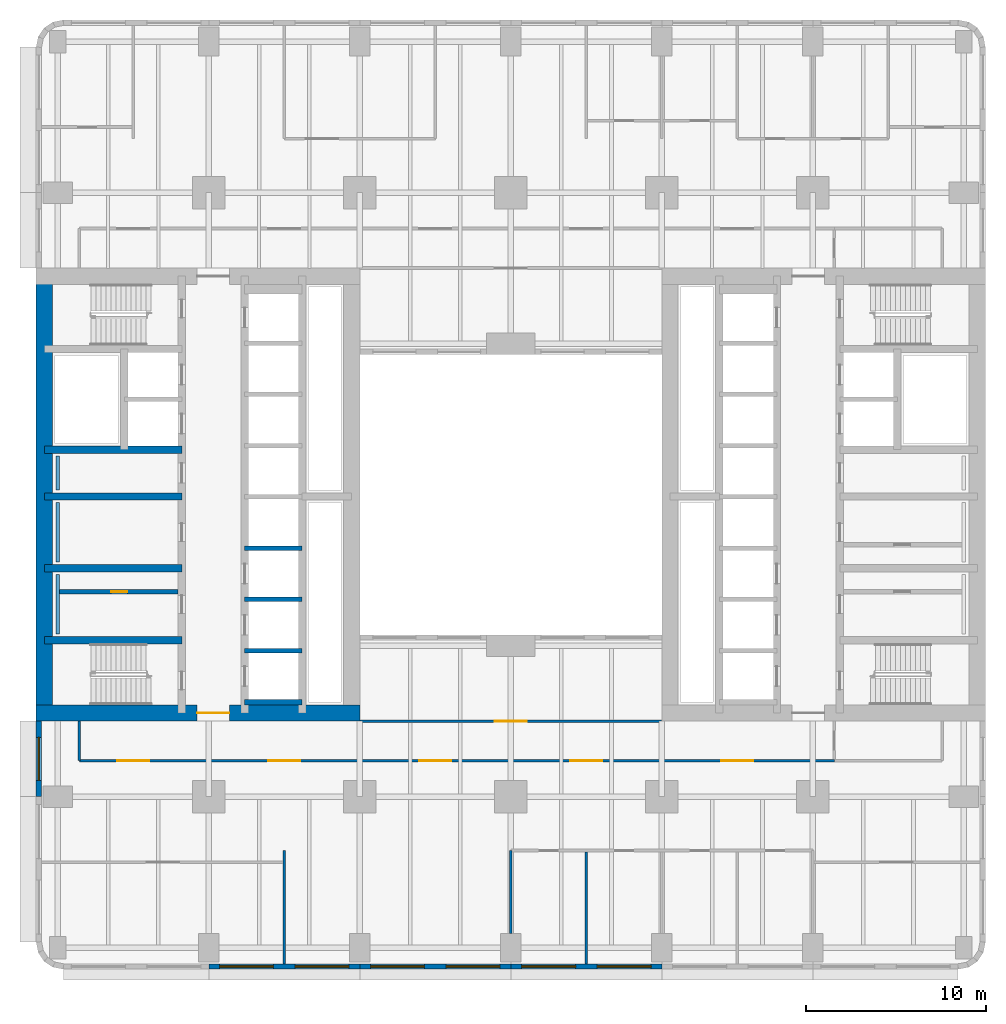
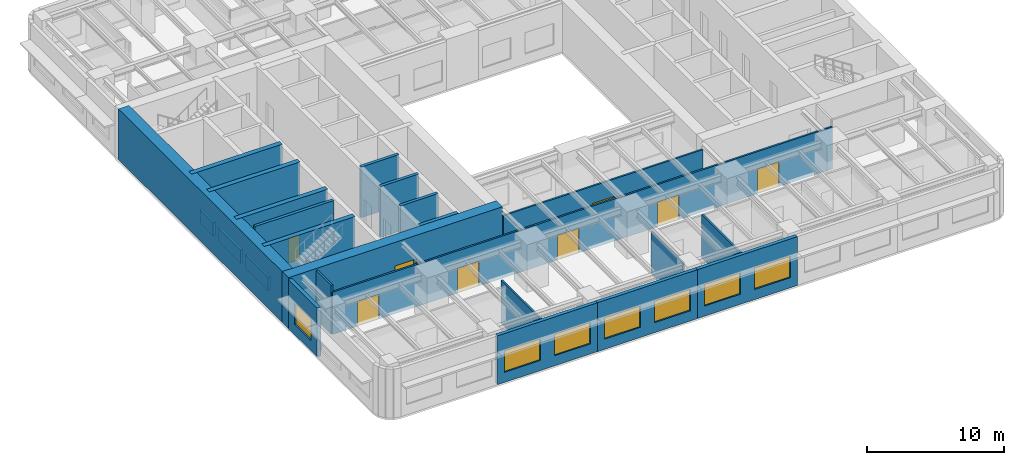
# One storey, part 3 of 14: 24 walls, 8 doors, 7 windows, 15 openings.
"""IFC4 building model written with IfcOpenShell, lengths in metres."""

from ifc_helpers import new_model, si_unit, direction, frame, frame_2d, origin, place, context, subcontext, project, spatial, rectangle, extrude, material, layer, layer_set, type_object, element, fill, save


model = new_model("IFC4")

# Units and contexts
model_context = context("Model", 3, precision=1e-05, world=origin(), true_north=direction((0.0, 1.0)))
body_context = subcontext(model_context, "Body", "Model", "MODEL_VIEW")
ifc_project = project(units=[si_unit("LENGTHUNIT", "METRE"), si_unit("AREAUNIT", "SQUARE_METRE"), si_unit("VOLUMEUNIT", "CUBIC_METRE"), si_unit("PLANEANGLEUNIT", "RADIAN"), si_unit("MASSUNIT", "GRAM", prefix="KILO")], contexts=[model_context])

# Site, building, storey
site_placement = place(None, origin())
site = spatial("IfcSite", under=ifc_project, at=site_placement, CompositionType="ELEMENT")
building_placement = place(site_placement, origin())
building = spatial("IfcBuilding", under=site, at=building_placement, Name="Claustro Exchange Tower", CompositionType="ELEMENT")
storey_placement = place(building_placement, frame((0.0, 0.0, 36.89990234375)))
storey = spatial("IfcBuildingStorey", under=building, at=storey_placement, Name="L08", CompositionType="ELEMENT", Elevation=36.89990234375)

# Walls
ifc_material_1 = material(Name="Gypsum board on steel studs", Category="steel")
ifc_layer_1 = layer(ifc_material_1, 0.14990234375)
ifc_layer_set_1 = layer_set([ifc_layer_1], Name="Gypsum board on steel studs")
wall_type_1 = type_object("IfcWallType", Name="P1 150 plasterboard partition", PredefinedType="PARTITIONING", material=ifc_layer_set_1)
wall_1_placement = place(storey_placement, frame((12.60009765625, -0.902099609375, 0.0), z_axis=(0.0, 0.0, 1.0), x_axis=(0.0, 1.0, 0.0)))
element("IfcWall", 1, at=wall_1_placement, inside=storey, type_object=wall_type_1, Name="Partition P1 L08", PredefinedType="PARTITIONING", context=body_context, shape_type="SweptSolid", body=[
    extrude(rectangle(XDim=6.302001953125, YDim=0.14990234375, at=frame_2d((3.15087890625, 0.0))), origin(), (0.0, 0.0, 1.0), 3.840087890625),
])
wall_2_placement = place(storey_placement, frame((25.199951171875, 0.799072265625, 0.0), z_axis=(0.0, 0.0, 1.0), x_axis=(0.0, 1.0, 0.0)))
element("IfcWall", 2, at=wall_2_placement, inside=storey, type_object=wall_type_1, Name="Partition P1 L08", PredefinedType="PARTITIONING", context=body_context, shape_type="SweptSolid", body=[
    extrude(rectangle(XDim=4.600830078125, YDim=0.14990234375, at=frame_2d((2.30029296875, 0.0))), origin(), (0.0, 0.0, 1.0), 3.739990234375),
])
wall_3_placement = place(storey_placement, frame((29.39990234375, -0.902099609375, 0.0), z_axis=(0.0, 0.0, 1.0), x_axis=(0.0, 1.0, 0.0)))
element("IfcWall", 3, at=wall_3_placement, inside=storey, type_object=wall_type_1, Name="Partition P1 L08", PredefinedType="PARTITIONING", context=body_context, shape_type="SweptSolid", body=[
    extrude(rectangle(XDim=6.22802734375, YDim=0.14990234375, at=frame_2d((3.114013671875, 0.0))), origin(), (0.0, 0.0, 1.0), 3.840087890625),
])

# Wall, openings, doors
wall_4_placement = place(storey_placement, frame((1.199951171875, 10.39990234375, 0.0), z_axis=(0.0, 0.0, 1.0), x_axis=(1.0, 0.0, 0.0)))
wall_4 = element("IfcWall", 4, at=wall_4_placement, inside=storey, type_object=wall_type_1, Name="Partition P1 L08", PredefinedType="PARTITIONING", context=body_context, shape_type="SweptSolid", body=[
    extrude(rectangle(XDim=42.001953125, YDim=0.14990234375, at=frame_2d((21.0009765625, 0.0))), origin(), (0.0, 0.0, 1.0), 3.739990234375),
])
opening_1_placement = place(wall_4_placement, frame((2.10009765625, 0.0, 0.0)))
opening_1 = element("IfcOpeningElement", 5, at=opening_1_placement, cuts=wall_4, Name="Opening D2", PredefinedType="OPENING", context=body_context, shape_type="SweptSolid", body=[
    extrude(rectangle(XDim=1.800048828125, YDim=2.199951171875, at=frame_2d((0.89990234375, 1.10009765625))), frame((0.0, 0.0849609375, 0.0), z_axis=(0.0, -1.0, 0.0), x_axis=(1.0, 0.0, 0.0)), (0.0, 0.0, 1.0), 0.169921875),
])
opening_2_placement = place(wall_4_placement, frame((10.5, 0.0, 0.0)))
opening_2 = element("IfcOpeningElement", 6, at=opening_2_placement, cuts=wall_4, Name="Opening D2", PredefinedType="OPENING", context=body_context, shape_type="SweptSolid", body=[
    extrude(rectangle(XDim=1.800048828125, YDim=2.199951171875, at=frame_2d((0.89990234375, 1.10009765625))), frame((0.0, 0.0849609375, 0.0), z_axis=(0.0, -1.0, 0.0), x_axis=(1.0, 0.0, 0.0)), (0.0, 0.0, 1.0), 0.169921875),
])
opening_3_placement = place(wall_4_placement, frame((18.89990234375, 0.0, 0.0)))
opening_3 = element("IfcOpeningElement", 7, at=opening_3_placement, cuts=wall_4, Name="Opening D2", PredefinedType="OPENING", context=body_context, shape_type="SweptSolid", body=[
    extrude(rectangle(XDim=1.800048828125, YDim=2.199951171875, at=frame_2d((0.89990234375, 1.10009765625))), frame((0.0, 0.0849609375, 0.0), z_axis=(0.0, -1.0, 0.0), x_axis=(1.0, 0.0, 0.0)), (0.0, 0.0, 1.0), 0.169921875),
])
opening_4_placement = place(wall_4_placement, frame((27.300048828125, 0.0, 0.0)))
opening_4 = element("IfcOpeningElement", 8, at=opening_4_placement, cuts=wall_4, Name="Opening D2", PredefinedType="OPENING", context=body_context, shape_type="SweptSolid", body=[
    extrude(rectangle(XDim=1.800048828125, YDim=2.199951171875, at=frame_2d((0.89990234375, 1.10009765625))), frame((0.0, 0.0849609375, 0.0), z_axis=(0.0, -1.0, 0.0), x_axis=(1.0, 0.0, 0.0)), (0.0, 0.0, 1.0), 0.169921875),
])
opening_5_placement = place(wall_4_placement, frame((35.699951171875, 0.0, 0.0)))
opening_5 = element("IfcOpeningElement", 9, at=opening_5_placement, cuts=wall_4, Name="Opening D2", PredefinedType="OPENING", context=body_context, shape_type="SweptSolid", body=[
    extrude(rectangle(XDim=1.800048828125, YDim=2.199951171875, at=frame_2d((0.89990234375, 1.10009765625))), frame((0.0, 0.0849609375, 0.0), z_axis=(0.0, -1.0, 0.0), x_axis=(1.0, 0.0, 0.0)), (0.0, 0.0, 1.0), 0.169921875),
])
ifc_material_2 = material(Name="Timber door, oak veneer", Category="wood")
door_type_1 = type_object("IfcDoorType", Name="D2 1800 x 2200 double door", OperationType="DOUBLE_DOOR_SINGLE_SWING", PredefinedType="DOOR", material=ifc_material_2)
door_1_placement = place(opening_1_placement, frame((1.800048828125, 0.0, 0.0), z_axis=(0.0, 0.0, 1.0), x_axis=(-1.0, 0.0, 0.0)))
door_1 = element("IfcDoor", 10, at=door_1_placement, inside=storey, type_object=door_type_1, Name="Double door D2 L08", OperationType="DOUBLE_DOOR_SINGLE_SWING", OverallHeight=2.199951171875, OverallWidth=1.800048828125, PredefinedType="DOOR", context=body_context, shape_type="SweptSolid", body=[
    extrude(rectangle(XDim=1.800048828125, YDim=2.199951171875, at=frame_2d((0.89990234375, 1.10009765625))), frame((0.0, 0.02490234375, 0.0), z_axis=(0.0, -1.0, 0.0), x_axis=(1.0, 0.0, 0.0)), (0.0, 0.0, 1.0), 0.050048828125),
])
fill(opening_1, door_1)
door_2_placement = place(opening_2_placement, frame((1.800048828125, 0.0, 0.0), z_axis=(0.0, 0.0, 1.0), x_axis=(-1.0, 0.0, 0.0)))
door_2 = element("IfcDoor", 11, at=door_2_placement, inside=storey, type_object=door_type_1, Name="Double door D2 L08", OperationType="DOUBLE_DOOR_SINGLE_SWING", OverallHeight=2.199951171875, OverallWidth=1.800048828125, PredefinedType="DOOR", context=body_context, shape_type="SweptSolid", body=[
    extrude(rectangle(XDim=1.800048828125, YDim=2.199951171875, at=frame_2d((0.89990234375, 1.10009765625))), frame((0.0, 0.02490234375, 0.0), z_axis=(0.0, -1.0, 0.0), x_axis=(1.0, 0.0, 0.0)), (0.0, 0.0, 1.0), 0.050048828125),
])
fill(opening_2, door_2)
door_3_placement = place(opening_3_placement, frame((1.800048828125, 0.0, 0.0), z_axis=(0.0, 0.0, 1.0), x_axis=(-1.0, 0.0, 0.0)))
door_3 = element("IfcDoor", 12, at=door_3_placement, inside=storey, type_object=door_type_1, Name="Double door D2 L08", OperationType="DOUBLE_DOOR_SINGLE_SWING", OverallHeight=2.199951171875, OverallWidth=1.800048828125, PredefinedType="DOOR", context=body_context, shape_type="SweptSolid", body=[
    extrude(rectangle(XDim=1.800048828125, YDim=2.199951171875, at=frame_2d((0.89990234375, 1.10009765625))), frame((0.0, 0.02490234375, 0.0), z_axis=(0.0, -1.0, 0.0), x_axis=(1.0, 0.0, 0.0)), (0.0, 0.0, 1.0), 0.050048828125),
])
fill(opening_3, door_3)
door_4_placement = place(opening_4_placement, frame((1.800048828125, 0.0, 0.0), z_axis=(0.0, 0.0, 1.0), x_axis=(-1.0, 0.0, 0.0)))
door_4 = element("IfcDoor", 13, at=door_4_placement, inside=storey, type_object=door_type_1, Name="Double door D2 L08", OperationType="DOUBLE_DOOR_SINGLE_SWING", OverallHeight=2.199951171875, OverallWidth=1.800048828125, PredefinedType="DOOR", context=body_context, shape_type="SweptSolid", body=[
    extrude(rectangle(XDim=1.800048828125, YDim=2.199951171875, at=frame_2d((0.89990234375, 1.10009765625))), frame((0.0, 0.02490234375, 0.0), z_axis=(0.0, -1.0, 0.0), x_axis=(1.0, 0.0, 0.0)), (0.0, 0.0, 1.0), 0.050048828125),
])
fill(opening_4, door_4)
door_5_placement = place(opening_5_placement, frame((1.800048828125, 0.0, 0.0), z_axis=(0.0, 0.0, 1.0), x_axis=(-1.0, 0.0, 0.0)))
door_5 = element("IfcDoor", 14, at=door_5_placement, inside=storey, type_object=door_type_1, Name="Double door D2 L08", OperationType="DOUBLE_DOOR_SINGLE_SWING", OverallHeight=2.199951171875, OverallWidth=1.800048828125, PredefinedType="DOOR", context=body_context, shape_type="SweptSolid", body=[
    extrude(rectangle(XDim=1.800048828125, YDim=2.199951171875, at=frame_2d((0.89990234375, 1.10009765625))), frame((0.0, 0.02490234375, 0.0), z_axis=(0.0, -1.0, 0.0), x_axis=(1.0, 0.0, 0.0)), (0.0, 0.0, 1.0), 0.050048828125),
])
fill(opening_5, door_5)

# Wall
wall_5_placement = place(storey_placement, frame((1.199951171875, 10.39990234375, 0.0), z_axis=(0.0, 0.0, 1.0), x_axis=(0.0, 1.0, 0.0)))
element("IfcWall", 15, at=wall_5_placement, inside=storey, type_object=wall_type_1, Name="Partition P1 L08", PredefinedType="PARTITIONING", context=body_context, shape_type="SweptSolid", body=[
    extrude(rectangle(XDim=2.2021484375, YDim=0.14990234375, at=frame_2d((1.10107421875, 0.0))), origin(), (0.0, 0.0, 1.0), 4.340087890625),
])

# Wall, opening, door
wall_6_placement = place(storey_placement, frame((16.820068359375, 12.60009765625, 0.0), z_axis=(0.0, 0.0, 1.0), x_axis=(1.0, 0.0, 0.0)))
wall_6 = element("IfcWall", 16, at=wall_6_placement, inside=storey, type_object=wall_type_1, Name="Partition P1 L08", PredefinedType="PARTITIONING", context=body_context, shape_type="SweptSolid", body=[
    extrude(rectangle(XDim=16.760009765625, YDim=0.14990234375, at=frame_2d((8.3798828125, 0.0))), origin(), (0.0, 0.0, 1.0), 3.739990234375),
])
opening_6_placement = place(wall_6_placement, frame((7.47998046875, 0.0, 0.0)))
opening_6 = element("IfcOpeningElement", 17, at=opening_6_placement, cuts=wall_6, Name="Opening D2", PredefinedType="OPENING", context=body_context, shape_type="SweptSolid", body=[
    extrude(rectangle(XDim=1.800048828125, YDim=2.199951171875, at=frame_2d((0.89990234375, 1.10009765625))), frame((0.0, 0.0849609375, 0.0), z_axis=(0.0, -1.0, 0.0), x_axis=(1.0, 0.0, 0.0)), (0.0, 0.0, 1.0), 0.169921875),
])
door_6_placement = place(opening_6_placement, frame((1.800048828125, 0.0, 0.0), z_axis=(0.0, 0.0, 1.0), x_axis=(-1.0, 0.0, 0.0)))
door_6 = element("IfcDoor", 18, at=door_6_placement, inside=storey, type_object=door_type_1, Name="Double door D2 L08", OperationType="DOUBLE_DOOR_SINGLE_SWING", OverallHeight=2.199951171875, OverallWidth=1.800048828125, PredefinedType="DOOR", context=body_context, shape_type="SweptSolid", body=[
    extrude(rectangle(XDim=1.800048828125, YDim=2.199951171875, at=frame_2d((0.89990234375, 1.10009765625))), frame((0.0, 0.02490234375, 0.0), z_axis=(0.0, -1.0, 0.0), x_axis=(1.0, 0.0, 0.0)), (0.0, 0.0, 1.0), 0.050048828125),
])
fill(opening_6, door_6)

ifc_material_3 = material(Name="Concrete blockwork, rendered", Category="masonry")
ifc_layer_2 = layer(ifc_material_3, 0.25)
ifc_layer_set_2 = layer_set([ifc_layer_2], Name="Concrete blockwork, rendered")
wall_type_2 = type_object("IfcWallType", Name="P4 250 blockwork wall", PredefinedType="PARTITIONING", material=ifc_layer_set_2)
wall_7_placement = place(storey_placement, frame((0.10009765625, 19.800048828125, 0.0), z_axis=(0.0, 0.0, 1.0), x_axis=(1.0, 0.0, 0.0)))
wall_7 = element("IfcWall", 19, at=wall_7_placement, inside=storey, type_object=wall_type_2, Name="Partition P4 L08", PredefinedType="PARTITIONING", context=body_context, shape_type="SweptSolid", body=[
    extrude(rectangle(XDim=6.599853515625, YDim=0.25, at=frame_2d((3.2998046875, 0.0))), origin(), (0.0, 0.0, 1.0), 4.300048828125),
])
opening_7_placement = place(wall_7_placement, frame((2.875, 0.0, 0.0)))
opening_7 = element("IfcOpeningElement", 20, at=opening_7_placement, cuts=wall_7, Name="Opening D5", PredefinedType="OPENING", context=body_context, shape_type="SweptSolid", body=[
    extrude(rectangle(XDim=0.89990234375, YDim=2.199951171875, at=frame_2d((0.449951171875, 1.10009765625))), frame((0.0, 0.135009765625, 0.0), z_axis=(0.0, -1.0, 0.0), x_axis=(1.0, 0.0, 0.0)), (0.0, 0.0, 1.0), 0.27001953125),
])
ifc_material_4 = material(Name="Steel door, painted", Category="steel")
door_type_2 = type_object("IfcDoorType", Name="D5 900 x 2200 store door", OperationType="SINGLE_SWING_LEFT", PredefinedType="DOOR", material=ifc_material_4)
door_7_placement = place(opening_7_placement, origin())
door_7 = element("IfcDoor", 21, at=door_7_placement, inside=storey, type_object=door_type_2, Name="Store door D5 L08", OperationType="SINGLE_SWING_LEFT", OverallHeight=2.199951171875, OverallWidth=0.89990234375, PredefinedType="DOOR", context=body_context, shape_type="SweptSolid", body=[
    extrude(rectangle(XDim=0.89990234375, YDim=2.199951171875, at=frame_2d((0.449951171875, 1.10009765625))), frame((0.0, 0.02490234375, 0.0), z_axis=(0.0, -1.0, 0.0), x_axis=(1.0, 0.0, 0.0)), (0.0, 0.0, 1.0), 0.050048828125),
])
fill(opening_7, door_7)

# Wall, openings, windows
ifc_material_5 = material(Name="Concrete HA-40 (C40/50), precast, white cement, acid-etched", Category="concrete")
ifc_layer_3 = layer(ifc_material_5, 0.300048828125)
ifc_layer_set_3 = layer_set([ifc_layer_3], Name="Concrete HA-40 (C40/50), precast, white cement, acid-etched")
wall_type_3 = type_object("IfcWallType", Name="PC1 300 precast concrete pier panel", PredefinedType="SOLIDWALL", material=ifc_layer_set_3)
wall_8_placement = place(storey_placement, frame((33.60009765625, -1.050048828125, 0.0), z_axis=(0.0, 0.0, 1.0), x_axis=(-1.0, 0.0, 0.0)))
wall_8 = element("IfcWall", 22, at=wall_8_placement, inside=storey, type_object=wall_type_3, Name="Precast pier panel PC1 L08", PredefinedType="SOLIDWALL", context=body_context, shape_type="SweptSolid", body=[
    extrude(rectangle(XDim=8.400146484375, YDim=0.300048828125, at=frame_2d((4.2001953125, 0.0))), origin(), (0.0, 0.0, 1.0), 4.340087890625),
])
opening_8_placement = place(wall_8_placement, frame((0.60009765625, 0.0, 0.89990234375)))
opening_8 = element("IfcOpeningElement", 23, at=opening_8_placement, cuts=wall_8, Name="Opening W1", PredefinedType="OPENING", context=body_context, shape_type="SweptSolid", body=[
    extrude(rectangle(XDim=3.0, YDim=1.89990234375, at=frame_2d((1.5, 0.949951171875))), frame((0.0, 0.159912109375, 0.0), z_axis=(0.0, -1.0, 0.0), x_axis=(1.0, 0.0, 0.0)), (0.0, 0.0, 1.0), 0.320068359375),
])
opening_9_placement = place(wall_8_placement, frame((4.800048828125, 0.0, 0.89990234375)))
opening_9 = element("IfcOpeningElement", 24, at=opening_9_placement, cuts=wall_8, Name="Opening W1", PredefinedType="OPENING", context=body_context, shape_type="SweptSolid", body=[
    extrude(rectangle(XDim=3.0, YDim=1.89990234375, at=frame_2d((1.5, 0.949951171875))), frame((0.0, 0.159912109375, 0.0), z_axis=(0.0, -1.0, 0.0), x_axis=(1.0, 0.0, 0.0)), (0.0, 0.0, 1.0), 0.320068359375),
])
ifc_material_6 = material(Name="Aluminium frame, clear double glazing", Category="aluminium")
window_type_1 = type_object("IfcWindowType", Name="W1 3000 x 1900 window", PartitioningType="SINGLE_PANEL", PredefinedType="WINDOW", material=ifc_material_6)
window_1_placement = place(opening_8_placement, origin())
window_1 = element("IfcWindow", 25, at=window_1_placement, inside=storey, type_object=window_type_1, Name="Window W1 L08", OverallHeight=1.89990234375, OverallWidth=3.0, PartitioningType="SINGLE_PANEL", PredefinedType="WINDOW", context=body_context, shape_type="SweptSolid", body=[
    extrude(rectangle(XDim=3.0, YDim=1.89990234375, at=frame_2d((1.5, 0.949951171875))), frame((0.0, 0.030029296875, 0.0), z_axis=(0.0, -1.0, 0.0), x_axis=(1.0, 0.0, 0.0)), (0.0, 0.0, 1.0), 0.06005859375),
])
fill(opening_8, window_1)
window_2_placement = place(opening_9_placement, origin())
window_2 = element("IfcWindow", 26, at=window_2_placement, inside=storey, type_object=window_type_1, Name="Window W1 L08", OverallHeight=1.89990234375, OverallWidth=3.0, PartitioningType="SINGLE_PANEL", PredefinedType="WINDOW", context=body_context, shape_type="SweptSolid", body=[
    extrude(rectangle(XDim=3.0, YDim=1.89990234375, at=frame_2d((1.5, 0.949951171875))), frame((0.0, 0.030029296875, 0.0), z_axis=(0.0, -1.0, 0.0), x_axis=(1.0, 0.0, 0.0)), (0.0, 0.0, 1.0), 0.06005859375),
])
fill(opening_9, window_2)

wall_9_placement = place(storey_placement, frame((25.199951171875, -1.050048828125, 0.0), z_axis=(0.0, 0.0, 1.0), x_axis=(-1.0, 0.0, 0.0)))
wall_9 = element("IfcWall", 27, at=wall_9_placement, inside=storey, type_object=wall_type_3, Name="Precast pier panel PC1 L08", PredefinedType="SOLIDWALL", context=body_context, shape_type="SweptSolid", body=[
    extrude(rectangle(XDim=8.39990234375, YDim=0.300048828125, at=frame_2d((4.199951171875, 0.0))), origin(), (0.0, 0.0, 1.0), 4.340087890625),
])
opening_10_placement = place(wall_9_placement, frame((0.60009765625, 0.0, 0.89990234375)))
opening_10 = element("IfcOpeningElement", 28, at=opening_10_placement, cuts=wall_9, Name="Opening W1", PredefinedType="OPENING", context=body_context, shape_type="SweptSolid", body=[
    extrude(rectangle(XDim=3.0, YDim=1.89990234375, at=frame_2d((1.5, 0.949951171875))), frame((0.0, 0.159912109375, 0.0), z_axis=(0.0, -1.0, 0.0), x_axis=(1.0, 0.0, 0.0)), (0.0, 0.0, 1.0), 0.320068359375),
])
opening_11_placement = place(wall_9_placement, frame((4.800048828125, 0.0, 0.89990234375)))
opening_11 = element("IfcOpeningElement", 29, at=opening_11_placement, cuts=wall_9, Name="Opening W1", PredefinedType="OPENING", context=body_context, shape_type="SweptSolid", body=[
    extrude(rectangle(XDim=3.0, YDim=1.89990234375, at=frame_2d((1.5, 0.949951171875))), frame((0.0, 0.159912109375, 0.0), z_axis=(0.0, -1.0, 0.0), x_axis=(1.0, 0.0, 0.0)), (0.0, 0.0, 1.0), 0.320068359375),
])
window_3_placement = place(opening_10_placement, origin())
window_3 = element("IfcWindow", 30, at=window_3_placement, inside=storey, type_object=window_type_1, Name="Window W1 L08", OverallHeight=1.89990234375, OverallWidth=3.0, PartitioningType="SINGLE_PANEL", PredefinedType="WINDOW", context=body_context, shape_type="SweptSolid", body=[
    extrude(rectangle(XDim=3.0, YDim=1.89990234375, at=frame_2d((1.5, 0.949951171875))), frame((0.0, 0.030029296875, 0.0), z_axis=(0.0, -1.0, 0.0), x_axis=(1.0, 0.0, 0.0)), (0.0, 0.0, 1.0), 0.06005859375),
])
fill(opening_10, window_3)
window_4_placement = place(opening_11_placement, origin())
window_4 = element("IfcWindow", 31, at=window_4_placement, inside=storey, type_object=window_type_1, Name="Window W1 L08", OverallHeight=1.89990234375, OverallWidth=3.0, PartitioningType="SINGLE_PANEL", PredefinedType="WINDOW", context=body_context, shape_type="SweptSolid", body=[
    extrude(rectangle(XDim=3.0, YDim=1.89990234375, at=frame_2d((1.5, 0.949951171875))), frame((0.0, 0.030029296875, 0.0), z_axis=(0.0, -1.0, 0.0), x_axis=(1.0, 0.0, 0.0)), (0.0, 0.0, 1.0), 0.06005859375),
])
fill(opening_11, window_4)

wall_10_placement = place(storey_placement, frame((16.800048828125, -1.050048828125, 0.0), z_axis=(0.0, 0.0, 1.0), x_axis=(-1.0, 0.0, 0.0)))
wall_10 = element("IfcWall", 32, at=wall_10_placement, inside=storey, type_object=wall_type_3, Name="Precast pier panel PC1 L08", PredefinedType="SOLIDWALL", context=body_context, shape_type="SweptSolid", body=[
    extrude(rectangle(XDim=8.400146484375, YDim=0.300048828125, at=frame_2d((4.2001953125, 0.0))), origin(), (0.0, 0.0, 1.0), 4.340087890625),
])
opening_12_placement = place(wall_10_placement, frame((0.60009765625, 0.0, 0.89990234375)))
opening_12 = element("IfcOpeningElement", 33, at=opening_12_placement, cuts=wall_10, Name="Opening W1", PredefinedType="OPENING", context=body_context, shape_type="SweptSolid", body=[
    extrude(rectangle(XDim=3.0, YDim=1.89990234375, at=frame_2d((1.5, 0.949951171875))), frame((0.0, 0.159912109375, 0.0), z_axis=(0.0, -1.0, 0.0), x_axis=(1.0, 0.0, 0.0)), (0.0, 0.0, 1.0), 0.320068359375),
])
opening_13_placement = place(wall_10_placement, frame((4.800048828125, 0.0, 0.89990234375)))
opening_13 = element("IfcOpeningElement", 34, at=opening_13_placement, cuts=wall_10, Name="Opening W1", PredefinedType="OPENING", context=body_context, shape_type="SweptSolid", body=[
    extrude(rectangle(XDim=3.0, YDim=1.89990234375, at=frame_2d((1.5, 0.949951171875))), frame((0.0, 0.159912109375, 0.0), z_axis=(0.0, -1.0, 0.0), x_axis=(1.0, 0.0, 0.0)), (0.0, 0.0, 1.0), 0.320068359375),
])
window_5_placement = place(opening_12_placement, origin())
window_5 = element("IfcWindow", 35, at=window_5_placement, inside=storey, type_object=window_type_1, Name="Window W1 L08", OverallHeight=1.89990234375, OverallWidth=3.0, PartitioningType="SINGLE_PANEL", PredefinedType="WINDOW", context=body_context, shape_type="SweptSolid", body=[
    extrude(rectangle(XDim=3.0, YDim=1.89990234375, at=frame_2d((1.5, 0.949951171875))), frame((0.0, 0.030029296875, 0.0), z_axis=(0.0, -1.0, 0.0), x_axis=(1.0, 0.0, 0.0)), (0.0, 0.0, 1.0), 0.06005859375),
])
fill(opening_12, window_5)
window_6_placement = place(opening_13_placement, origin())
window_6 = element("IfcWindow", 36, at=window_6_placement, inside=storey, type_object=window_type_1, Name="Window W1 L08", OverallHeight=1.89990234375, OverallWidth=3.0, PartitioningType="SINGLE_PANEL", PredefinedType="WINDOW", context=body_context, shape_type="SweptSolid", body=[
    extrude(rectangle(XDim=3.0, YDim=1.89990234375, at=frame_2d((1.5, 0.949951171875))), frame((0.0, 0.030029296875, 0.0), z_axis=(0.0, -1.0, 0.0), x_axis=(1.0, 0.0, 0.0)), (0.0, 0.0, 1.0), 0.06005859375),
])
fill(opening_13, window_6)

# Wall, opening, window
wall_11_placement = place(storey_placement, frame((-1.050048828125, 8.39990234375, 0.0), z_axis=(0.0, 0.0, 1.0), x_axis=(0.0, 1.0, 0.0)))
wall_11 = element("IfcWall", 37, at=wall_11_placement, inside=storey, type_object=wall_type_3, Name="Precast pier panel PC1 L08", PredefinedType="SOLIDWALL", context=body_context, shape_type="SweptSolid", body=[
    extrude(rectangle(XDim=4.2001953125, YDim=0.300048828125, at=frame_2d((2.10009765625, 0.0))), origin(), (0.0, 0.0, 1.0), 4.340087890625),
])
opening_14_placement = place(wall_11_placement, frame((0.89990234375, 0.0, 0.89990234375)))
opening_14 = element("IfcOpeningElement", 38, at=opening_14_placement, cuts=wall_11, Name="Opening W2", PredefinedType="OPENING", context=body_context, shape_type="SweptSolid", body=[
    extrude(rectangle(XDim=2.39990234375, YDim=1.89990234375, at=frame_2d((1.199951171875, 0.949951171875))), frame((0.0, 0.159912109375, 0.0), z_axis=(0.0, -1.0, 0.0), x_axis=(1.0, 0.0, 0.0)), (0.0, 0.0, 1.0), 0.320068359375),
])
ifc_material_7 = material(Name="Aluminium frame, clear double glazing", Category="aluminium")
window_type_2 = type_object("IfcWindowType", Name="W2 2400 x 1900 window", PartitioningType="SINGLE_PANEL", PredefinedType="WINDOW", material=ifc_material_7)
window_7_placement = place(opening_14_placement, origin())
window_7 = element("IfcWindow", 39, at=window_7_placement, inside=storey, type_object=window_type_2, Name="Window W2 L08", OverallHeight=1.89990234375, OverallWidth=2.39990234375, PartitioningType="SINGLE_PANEL", PredefinedType="WINDOW", context=body_context, shape_type="SweptSolid", body=[
    extrude(rectangle(XDim=2.39990234375, YDim=1.89990234375, at=frame_2d((1.199951171875, 0.949951171875))), frame((0.0, 0.030029296875, 0.0), z_axis=(0.0, -1.0, 0.0), x_axis=(1.0, 0.0, 0.0)), (0.0, 0.0, 1.0), 0.06005859375),
])
fill(opening_14, window_7)

# Walls
ifc_material_8 = material(Name="Gypsum board on steel studs, tiled", Category="steel")
ifc_layer_4 = layer(ifc_material_8, 0.199951171875)
ifc_layer_set_4 = layer_set([ifc_layer_4], Name="Gypsum board on steel studs, tiled")
wall_type_4 = type_object("IfcWallType", Name="PW1 200 WC duct wall", PredefinedType="PLUMBINGWALL", material=ifc_layer_set_4)
for number, where, z_axis, x_axis, name in (
    (40, (0.0, 17.449951171875, 0.0), (0.0, 0.0, 1.0), (0.0, 1.0, 0.0), "WC duct wall PW1 L08"),
    (41, (0.0, 21.449951171875, 0.0), (0.0, 0.0, 1.0), (0.0, 1.0, 0.0), "WC duct wall PW1 L08"),
):
    element("IfcWall", number, at=place(storey_placement, frame(where, z_axis=z_axis, x_axis=x_axis)), inside=storey, type_object=wall_type_4, Name=name, PredefinedType="PLUMBINGWALL", context=body_context, shape_type="SweptSolid", body=[
        extrude(rectangle(XDim=3.300048828125, YDim=0.199951171875, at=frame_2d((1.64990234375, 0.0))), origin(), (0.0, 0.0, 1.0), 1.2001953125),
    ])
wall_12_placement = place(storey_placement, frame((0.0, 25.449951171875, 0.0), z_axis=(0.0, 0.0, 1.0), x_axis=(0.0, 1.0, 0.0)))
element("IfcWall", 42, at=wall_12_placement, inside=storey, type_object=wall_type_4, Name="WC duct wall PW1 L08", PredefinedType="PLUMBINGWALL", context=body_context, shape_type="SweptSolid", body=[
    extrude(rectangle(XDim=1.900146484375, YDim=0.199951171875, at=frame_2d((0.9501953125, 0.0))), origin(), (0.0, 0.0, 1.0), 1.2001953125),
])

# Wall, opening, door
ifc_material_9 = material(Name="Concrete HA-70 (C70/85)", Category="concrete")
ifc_layer_5 = layer(ifc_material_9, 0.89990234375)
ifc_layer_set_5 = layer_set([ifc_layer_5], Name="Concrete HA-70 (C70/85)")
wall_type_5 = type_object("IfcWallType", Name="SW1 900 core shear wall", PredefinedType="SHEAR", material=ifc_layer_set_5)
wall_13_placement = place(storey_placement, frame((-1.199951171875, 13.050048828125, 0.0), z_axis=(0.0, 0.0, 1.0), x_axis=(1.0, 0.0, 0.0)))
wall_13 = element("IfcWall", 43, at=wall_13_placement, inside=storey, type_object=wall_type_5, Name="Core wall SW1 W core S face L08", PredefinedType="SHEAR", context=body_context, shape_type="SweptSolid", body=[
    extrude(rectangle(XDim=18.0, YDim=0.89990234375, at=frame_2d((9.0, 0.0))), origin(), (0.0, 0.0, 1.0), 4.5),
])
opening_15_placement = place(wall_13_placement, frame((8.949951171875, 0.0, 0.0)))
opening_15 = element("IfcOpeningElement", 44, at=opening_15_placement, cuts=wall_13, Name="Opening D3", PredefinedType="OPENING", context=body_context, shape_type="SweptSolid", body=[
    extrude(rectangle(XDim=1.800048828125, YDim=2.39990234375, at=frame_2d((0.89990234375, 1.199951171875))), frame((0.0, 0.4599609375, 0.0), z_axis=(0.0, -1.0, 0.0), x_axis=(1.0, 0.0, 0.0)), (0.0, 0.0, 1.0), 0.919921875),
])
ifc_material_10 = material(Name="Steel fire door, painted", Category="steel")
door_type_3 = type_object("IfcDoorType", Name="D3 1800 x 2400 fire-rated lobby double door", OperationType="DOUBLE_DOOR_SINGLE_SWING", PredefinedType="DOOR", material=ifc_material_10)
door_8_placement = place(opening_15_placement, origin())
door_8 = element("IfcDoor", 45, at=door_8_placement, inside=storey, type_object=door_type_3, Name="Lift lobby door D3 L08", OperationType="DOUBLE_DOOR_SINGLE_SWING", OverallHeight=2.39990234375, OverallWidth=1.800048828125, PredefinedType="DOOR", context=body_context, shape_type="SweptSolid", body=[
    extrude(rectangle(XDim=1.800048828125, YDim=2.39990234375, at=frame_2d((0.89990234375, 1.199951171875))), frame((0.0, 0.02490234375, 0.0), z_axis=(0.0, -1.0, 0.0), x_axis=(1.0, 0.0, 0.0)), (0.0, 0.0, 1.0), 0.050048828125),
])
fill(opening_15, door_8)

# Walls
ifc_material_11 = material(Name="Concrete HA-70 (C70/85)", Category="concrete")
ifc_layer_6 = layer(ifc_material_11, 0.89990234375)
ifc_layer_set_6 = layer_set([ifc_layer_6], Name="Concrete HA-70 (C70/85)")
wall_type_6 = type_object("IfcWallType", Name="SW1X 900 exposed core shear wall, board-marked face", PredefinedType="SHEAR", material=ifc_layer_set_6)
wall_14_placement = place(storey_placement, frame((-0.75, 13.050048828125, 0.0), z_axis=(0.0, 0.0, 1.0), x_axis=(0.0, 1.0, 0.0)))
element("IfcWall", 46, at=wall_14_placement, inside=storey, type_object=wall_type_6, Name="Core wall SW1X W core W face L08", PredefinedType="SHEAR", context=body_context, shape_type="SweptSolid", body=[
    extrude(rectangle(XDim=24.300048828125, YDim=0.89990234375, at=frame_2d((12.14990234375, 0.0))), origin(), (0.0, 0.0, 1.0), 4.5),
])
ifc_material_12 = material(Name="Concrete HA-50 (C50/60)", Category="concrete")
ifc_layer_7 = layer(ifc_material_12, 0.39990234375)
ifc_layer_set_7 = layer_set([ifc_layer_7], Name="Concrete HA-50 (C50/60)")
wall_type_7 = type_object("IfcWallType", Name="SW4 400 internal core wall", PredefinedType="SHEAR", material=ifc_layer_set_7)
for number, where, z_axis, x_axis, name in (
    (47, (-0.75, 17.10009765625, 0.0), (0.0, 0.0, 1.0), (1.0, 0.0, 0.0), "Internal core wall SW4 W core L08"),
    (48, (-0.75, 21.10009765625, 0.0), (0.0, 0.0, 1.0), (1.0, 0.0, 0.0), "Internal core wall SW4 W core L08"),
    (49, (-0.75, 25.10009765625, 0.0), (0.0, 0.0, 1.0), (1.0, 0.0, 0.0), "Internal core wall SW4 W core L08"),
    (50, (-0.75, 27.699951171875, 0.0), (0.0, 0.0, 1.0), (1.0, 0.0, 0.0), "Internal core wall SW4 W core L08"),
):
    element("IfcWall", number, at=place(storey_placement, frame(where, z_axis=z_axis, x_axis=x_axis)), inside=storey, type_object=wall_type_7, Name=name, PredefinedType="SHEAR", context=body_context, shape_type="SweptSolid", body=[
        extrude(rectangle(XDim=7.64990234375, YDim=0.39990234375, at=frame_2d((3.824951171875, 0.0))), origin(), (0.0, 0.0, 1.0), 4.5),
    ])
ifc_material_13 = material(Name="Concrete HA-50 (C50/60)", Category="concrete")
ifc_layer_8 = layer(ifc_material_13, 0.25)
ifc_layer_set_8 = layer_set([ifc_layer_8], Name="Concrete HA-50 (C50/60)")
wall_type_8 = type_object("IfcWallType", Name="SW5 250 lift shaft divider wall", PredefinedType="SHEAR", material=ifc_layer_set_8)
for number, where, z_axis, x_axis, name in (
    (51, (10.39990234375, 16.52490234375, 0.0), (0.0, 0.0, 1.0), (1.0, 0.0, 0.0), "Lift shaft wall W core L08"),
    (52, (10.39990234375, 19.375, 0.0), (0.0, 0.0, 1.0), (1.0, 0.0, 0.0), "Lift shaft wall W core L08"),
    (53, (10.39990234375, 22.22509765625, 0.0), (0.0, 0.0, 1.0), (1.0, 0.0, 0.0), "Lift shaft wall W core L08"),
):
    element("IfcWall", number, at=place(storey_placement, frame(where, z_axis=z_axis, x_axis=x_axis)), inside=storey, type_object=wall_type_8, Name=name, PredefinedType="SHEAR", context=body_context, shape_type="SweptSolid", body=[
        extrude(rectangle(XDim=3.2001953125, YDim=0.25, at=frame_2d((1.60009765625, 0.0))), origin(), (0.0, 0.0, 1.0), 4.5),
    ])
ifc_material_14 = material(Name="Concrete HA-50 (C50/60)", Category="concrete")
ifc_layer_9 = layer(ifc_material_14, 0.300048828125)
ifc_layer_set_9 = layer_set([ifc_layer_9], Name="Concrete HA-50 (C50/60)")
wall_type_9 = type_object("IfcWallType", Name="SW6A 300 lift shaft end wall", PredefinedType="SHEAR", material=ifc_layer_set_9)
wall_15_placement = place(storey_placement, frame((10.39990234375, 13.64990234375, 0.0), z_axis=(0.0, 0.0, 1.0), x_axis=(1.0, 0.0, 0.0)))
element("IfcWall", 54, at=wall_15_placement, inside=storey, type_object=wall_type_9, Name="Lift shaft wall W core L08", PredefinedType="SHEAR", context=body_context, shape_type="SweptSolid", body=[
    extrude(rectangle(XDim=3.2001953125, YDim=0.300048828125, at=frame_2d((1.60009765625, 0.0))), origin(), (0.0, 0.0, 1.0), 4.5),
])

save(model, "model.ifc")
